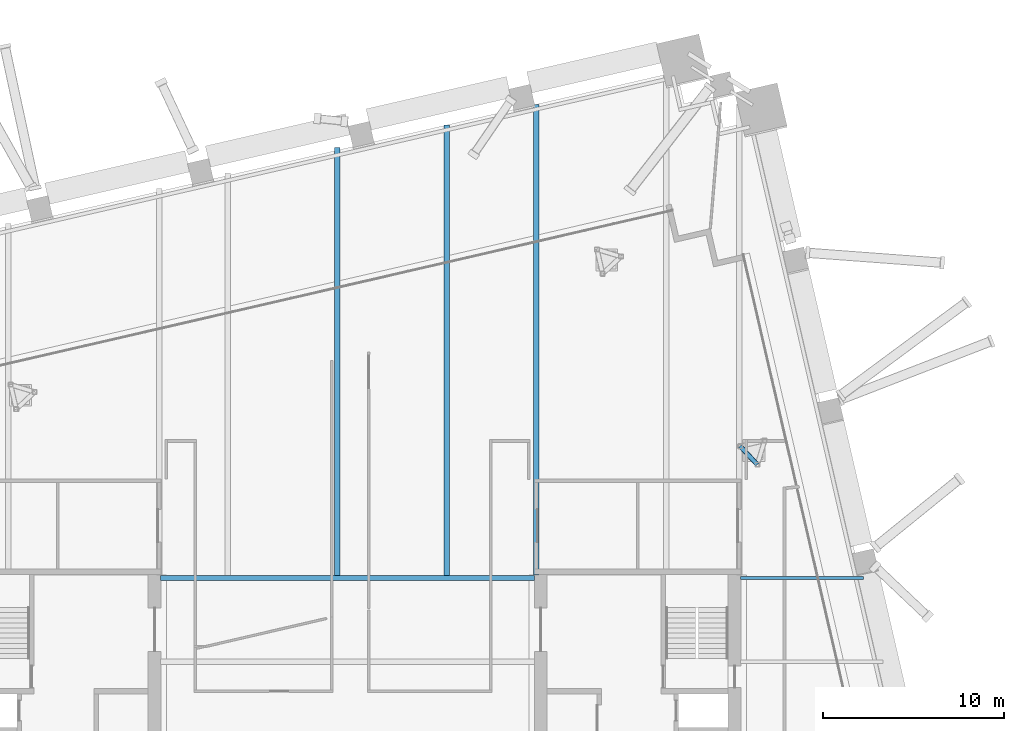
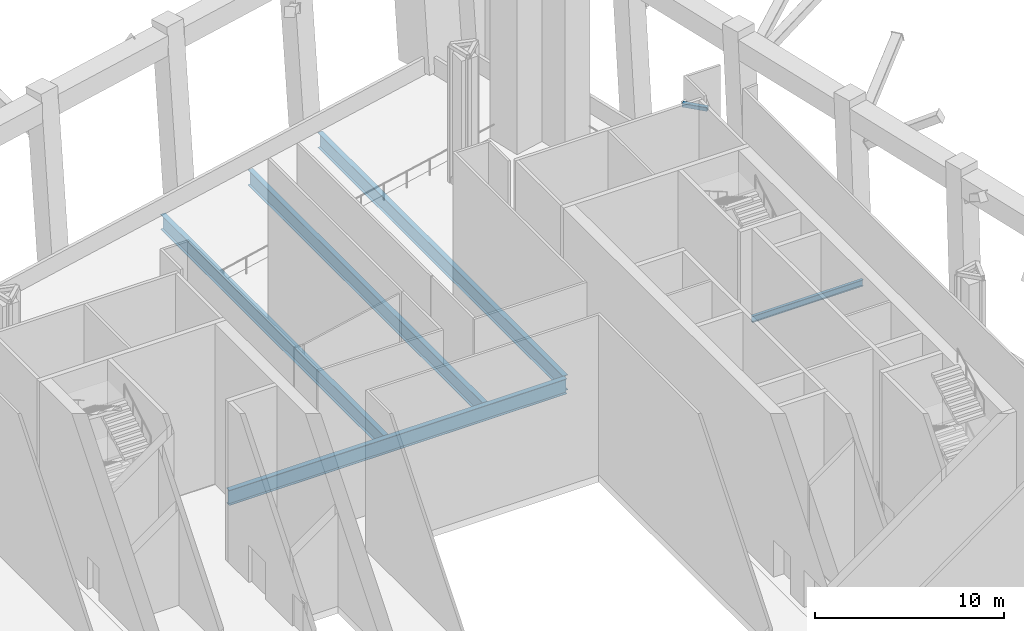
# One storey, part 10 of 25: 5 beams, 1 member.
"""IFC4 building model written with IfcOpenShell, lengths in metres."""

from ifc_helpers import new_model, si_unit, direction, frame, origin, origin_2d, place, context, subcontext, project, spatial, hollow_rectangle, i_section, extrude, material, material_profile, profile_set, type_object, element, save


model = new_model("IFC4")

# Units and contexts
model_context = context("Model", 3, precision=1e-05, world=origin(), true_north=direction((0.0, 1.0)))
body_context = subcontext(model_context, "Body", "Model", "MODEL_VIEW")
ifc_project = project(units=[si_unit("LENGTHUNIT", "METRE"), si_unit("AREAUNIT", "SQUARE_METRE"), si_unit("VOLUMEUNIT", "CUBIC_METRE"), si_unit("PLANEANGLEUNIT", "RADIAN"), si_unit("MASSUNIT", "GRAM", prefix="KILO")], contexts=[model_context])

# Site, building, storey
site_placement = place(None, origin())
site = spatial("IfcSite", under=ifc_project, at=site_placement, CompositionType="ELEMENT")
building_placement = place(site_placement, origin())
building = spatial("IfcBuilding", under=site, at=building_placement, Name="Ogive Exchange Tower", CompositionType="ELEMENT")
storey_placement = place(building_placement, frame((0.0, 0.0, 226.199951171875)))
storey = spatial("IfcBuildingStorey", under=building, at=storey_placement, Name="L50", CompositionType="ELEMENT", Elevation=226.199951171875)

# Beams
ifc_material_1 = material(Name="Steel ASTM A992 Gr50", Category="steel")
ifc_material_profile_1 = material_profile(ifc_material_1, i_section(OverallWidth=0.300048828125, OverallDepth=0.97998046875, WebThickness=0.0166015625, FlangeThickness=0.026123046875, at=origin_2d()), Name="W1000x249")
ifc_profile_set_1 = profile_set([ifc_material_profile_1], Name="Steel ASTM A992 Gr50")
beam_type_1 = type_object("IfcBeamType", Name="Floor beam W1000x249", PredefinedType="JOIST", material=ifc_profile_set_1)
beam_1_placement = place(storey_placement, frame((-0.57275390625, 25.39501953125, -0.93994140625), z_axis=(0.0, 1.0, 0.0), x_axis=(-1.0, 0.0, 0.0)))
element("IfcBeam", 1, at=beam_1_placement, inside=storey, type_object=beam_type_1, Name="Floor beam", PredefinedType="JOIST", context=body_context, shape_type="SweptSolid", body=[
    extrude(i_section(OverallWidth=0.300048828125, OverallDepth=0.97998046875, WebThickness=0.0166015625, FlangeThickness=0.026123046875, at=origin_2d()), origin(), (0.0, 0.0, 1.0), 23.60009765625),
])
beam_2_placement = place(storey_placement, frame((5.474365234375, 25.39501953125, -0.93994140625), z_axis=(0.0, 1.0, 0.0), x_axis=(-1.0, 0.0, 0.0)))
element("IfcBeam", 2, at=beam_2_placement, inside=storey, type_object=beam_type_1, Name="Floor beam", PredefinedType="JOIST", context=body_context, shape_type="SweptSolid", body=[
    extrude(i_section(OverallWidth=0.300048828125, OverallDepth=0.97998046875, WebThickness=0.0166015625, FlangeThickness=0.026123046875, at=origin_2d()), origin(), (0.0, 0.0, 1.0), 24.84619140625),
])
beam_3_placement = place(storey_placement, frame((10.39990234375, 25.39990234375, -0.93994140625), z_axis=(0.0, 1.0, 0.0), x_axis=(-1.0, 0.0, 0.0)))
element("IfcBeam", 3, at=beam_3_placement, inside=storey, type_object=beam_type_1, Name="Floor beam", PredefinedType="JOIST", context=body_context, shape_type="SweptSolid", body=[
    extrude(i_section(OverallWidth=0.300048828125, OverallDepth=0.97998046875, WebThickness=0.0166015625, FlangeThickness=0.026123046875, at=origin_2d()), origin(), (0.0, 0.0, 1.0), 25.978515625),
])
ifc_material_profile_2 = material_profile(ifc_material_1, i_section(OverallWidth=0.300048828125, OverallDepth=0.97998046875, WebThickness=0.0166015625, FlangeThickness=0.026123046875, at=origin_2d()), Name="W1000x249")
ifc_profile_set_2 = profile_set([ifc_material_profile_2], Name="Steel ASTM A992 Gr50")
beam_type_2 = type_object("IfcBeamType", Name="Girder W1000x249", PredefinedType="BEAM", material=ifc_profile_set_2)
beam_4_placement = place(storey_placement, frame((-10.320068359375, 25.2451171875, -0.93994140625), z_axis=(1.0, 0.0, 0.0), x_axis=(0.0, 1.0, 0.0)))
element("IfcBeam", 4, at=beam_4_placement, inside=storey, type_object=beam_type_2, Name="Header girder", PredefinedType="BEAM", context=body_context, shape_type="SweptSolid", body=[
    extrude(i_section(OverallWidth=0.300048828125, OverallDepth=0.97998046875, WebThickness=0.0166015625, FlangeThickness=0.026123046875, at=origin_2d()), origin(), (0.0, 0.0, 1.0), 20.64013671875),
])
ifc_material_profile_3 = material_profile(ifc_material_1, i_section(OverallWidth=0.177978515625, OverallDepth=0.406005859375, WebThickness=0.0078125, FlangeThickness=0.0126953125, at=origin_2d()), Name="W410x60")
ifc_profile_set_3 = profile_set([ifc_material_profile_3], Name="Steel ASTM A992 Gr50")
beam_type_3 = type_object("IfcBeamType", Name="Girder W410x60", PredefinedType="BEAM", material=ifc_profile_set_3)
beam_5_placement = place(storey_placement, frame((21.679931640625, 25.2451171875, -0.65283203125), z_axis=(1.0, 0.0, 0.0), x_axis=(0.0, 1.0, 0.0)))
element("IfcBeam", 5, at=beam_5_placement, inside=storey, type_object=beam_type_3, Name="Header girder", PredefinedType="BEAM", context=body_context, shape_type="SweptSolid", body=[
    extrude(i_section(OverallWidth=0.177978515625, OverallDepth=0.406005859375, WebThickness=0.0078125, FlangeThickness=0.0126953125, at=origin_2d()), origin(), (0.0, 0.0, 1.0), 6.778564453125),
])

# Member
ifc_material_2 = material(Name="Steel ASTM A1085 Gr A", Category="steel")
ifc_material_profile_4 = material_profile(ifc_material_2, hollow_rectangle(XDim=0.25390625, YDim=0.25390625, WallThickness=0.0126953125, InnerFilletRadius=0.0126953125, OuterFilletRadius=0.025390625, at=origin_2d()), Name="HSS254x254x12.7")
ifc_profile_set_4 = profile_set([ifc_material_profile_4], Name="Steel ASTM A1085 Gr A")
member_type = type_object("IfcMemberType", Name="Turbine cage ring member HSS254x254x12.7", PredefinedType="BRACE", material=ifc_profile_set_4)
member_placement = place(storey_placement, frame((21.66015625, 32.513916015625, 8.822998046875), z_axis=(0.682010599268, -0.731342288184, 0.0), x_axis=(0.731342288184, 0.682010599268, 0.0)))
element("IfcMember", 6, at=member_placement, inside=storey, type_object=member_type, Name="Turbine cage ring 05.1", PredefinedType="BRACE", context=body_context, shape_type="SweptSolid", body=[
    extrude(hollow_rectangle(XDim=0.25390625, YDim=0.25390625, WallThickness=0.0126953125, InnerFilletRadius=0.0126953125, OuterFilletRadius=0.025390625, at=origin_2d()), origin(), (0.0, 0.0, 1.0), 1.3857421875),
])

save(model, "model.ifc")
